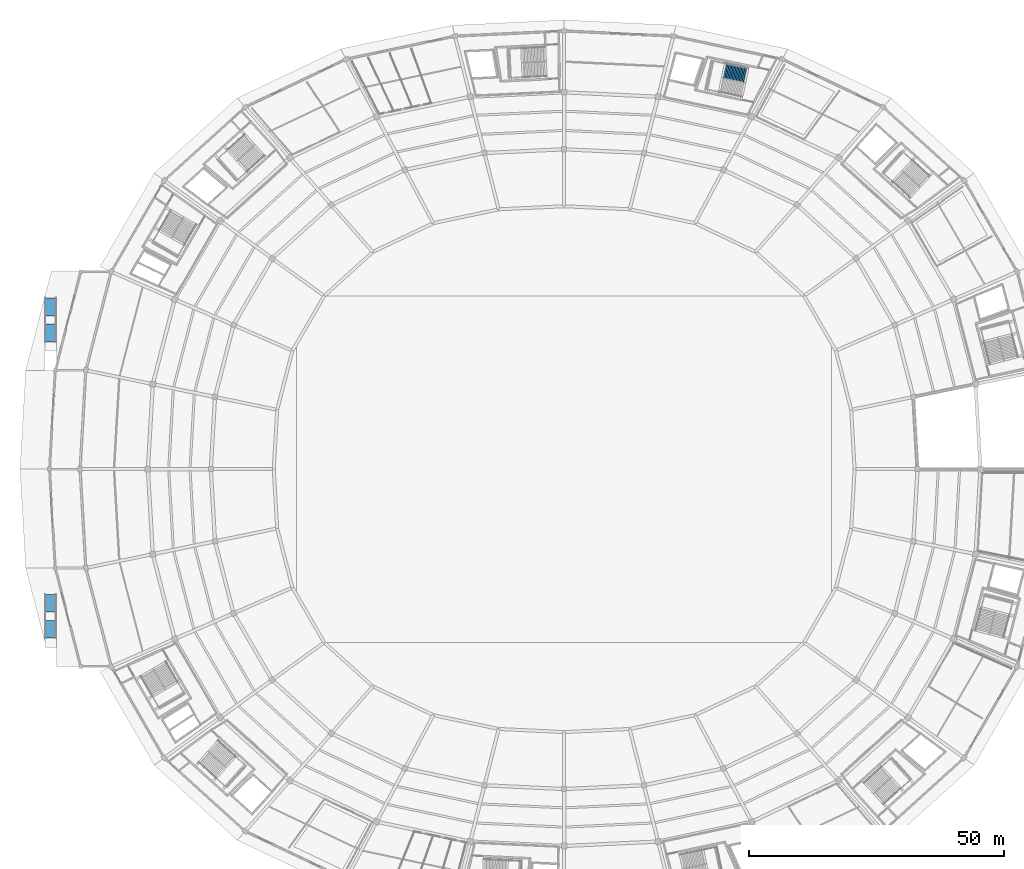
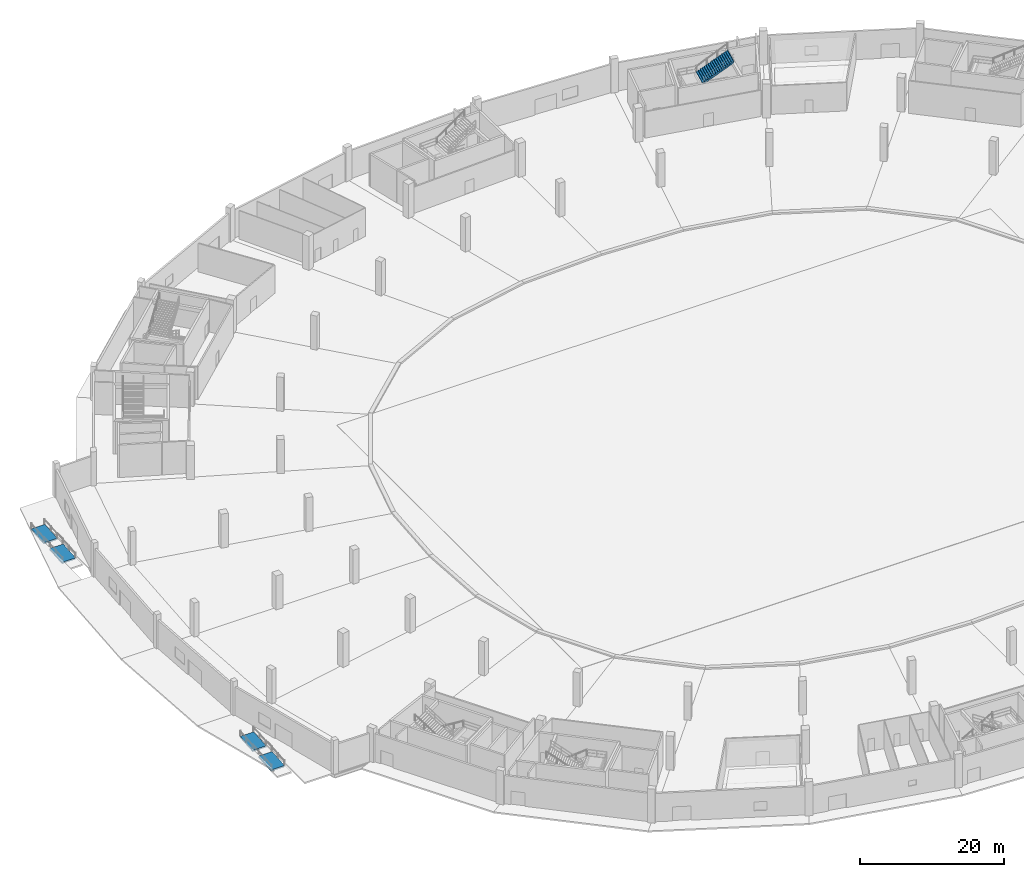
# One storey, part 42 of 48: 4 ramp flights, 1 stair flight, 3 elements without a shape of their own.
"""IFC4 building model written with IfcOpenShell, lengths in metres."""

from ifc_helpers import new_model, si_unit, direction, frame, origin, place, context, subcontext, project, spatial, polygons, material, layer, layer_set, type_object, element, aggregate, save


model = new_model("IFC4")

# Units and contexts
model_context = context("Model", 3, precision=1e-05, world=origin(), true_north=direction((0.0, 1.0)))
body_context = subcontext(model_context, "Body", "Model", "MODEL_VIEW")
ifc_project = project(units=[si_unit("LENGTHUNIT", "METRE"), si_unit("AREAUNIT", "SQUARE_METRE"), si_unit("VOLUMEUNIT", "CUBIC_METRE"), si_unit("PLANEANGLEUNIT", "RADIAN"), si_unit("MASSUNIT", "GRAM", prefix="KILO")], contexts=[model_context])

# Site, building, storey
site_placement = place(None, origin())
site = spatial("IfcSite", under=ifc_project, at=site_placement, CompositionType="ELEMENT")
building_placement = place(site_placement, origin())
building = spatial("IfcBuilding", under=site, at=building_placement, Name="Kazemori Nagisa Stadium", CompositionType="ELEMENT")
storey_placement = place(building_placement, origin())
storey = spatial("IfcBuildingStorey", under=building, at=storey_placement, Name="L00", CompositionType="ELEMENT", Elevation=0.0)

# Stair, stair flight
ifc_material = material(Name="Concrete C36/45 (Fc36)", Category="concrete")
stair_type = type_object("IfcStairType", Name="Stair_CORE_34", PredefinedType="TWO_STRAIGHT_RUN_STAIR", material=ifc_material)
stair_placement = place(storey_placement, origin())
stair = element("IfcStair", 1, at=stair_placement, inside=storey, type_object=stair_type, Name="Exit stair ST11 L00", PredefinedType="TWO_STRAIGHT_RUN_STAIR")
stair_flight_type = type_object("IfcStairFlightType", Name="Flight_CORE_17", PredefinedType="STRAIGHT", material=ifc_material)
stair_flight_placement = place(storey_placement, frame((154.25341796875, 180.22314453125, 2.889892578125), z_axis=(0.0, 0.0, 1.0), x_axis=(0.978345950589, -0.206976329483, 0.0)))
stair_flight = element("IfcStairFlight", 2, at=stair_flight_placement, type_object=stair_flight_type, Name="Exit stair ST11 L00 flight 2", NumberOfRisers=17, NumberOfTreads=16, PredefinedType="STRAIGHT", RiserHeight=0.17, TreadLength=0.285, context=body_context, shape_type="Tessellation", body=[
    polygons([(0.0, -1.425048828125, 0.0), (0.0, -1.425048828125, 0.169921875), (0.284912109375, -1.425048828125, 0.169921875), (0.284912109375, -1.425048828125, 0.340087890625), (0.570068359375, -1.425048828125, 0.340087890625), (0.570068359375, -1.425048828125, 0.510009765625), (0.85498046875, -1.425048828125, 0.510009765625), (0.85498046875, -1.425048828125, 0.679931640625), (1.139892578125, -1.425048828125, 0.679931640625), (1.139892578125, -1.425048828125, 0.85009765625), (1.425048828125, -1.425048828125, 0.85009765625), (1.425048828125, -1.425048828125, 1.02001953125), (1.7099609375, -1.425048828125, 1.02001953125), (1.7099609375, -1.425048828125, 1.18994140625), (1.9951171875, -1.425048828125, 1.18994140625), (1.9951171875, -1.425048828125, 1.360107421875), (2.280029296875, -1.425048828125, 1.360107421875), (2.280029296875, -1.425048828125, 1.530029296875), (2.56494140625, -1.425048828125, 1.530029296875), (2.56494140625, -1.425048828125, 1.699951171875), (2.85009765625, -1.425048828125, 1.699951171875), (2.85009765625, -1.425048828125, 1.8701171875), (3.135009765625, -1.425048828125, 1.8701171875), (3.135009765625, -1.425048828125, 2.0400390625), (3.419921875, -1.425048828125, 2.0400390625), (3.419921875, -1.425048828125, 2.2099609375), (3.705078125, -1.425048828125, 2.2099609375), (3.705078125, -1.425048828125, 2.3798828125), (3.989990234375, -1.425048828125, 2.3798828125), (3.989990234375, -1.425048828125, 2.550048828125), (4.27490234375, -1.425048828125, 2.550048828125), (4.27490234375, -1.425048828125, 2.719970703125), (4.56005859375, -1.425048828125, 2.719970703125), (4.56005859375, -1.425048828125, 2.889892578125), (4.610107421875, -1.425048828125, 2.889892578125), (4.610107421875, -1.425048828125, 2.51708984375), (4.56005859375, -1.425048828125, 2.487060546875), (4.27490234375, -1.425048828125, 2.317138671875), (3.989990234375, -1.425048828125, 2.147216796875), (3.705078125, -1.425048828125, 1.977294921875), (3.419921875, -1.425048828125, 1.80712890625), (3.135009765625, -1.425048828125, 1.63720703125), (2.85009765625, -1.425048828125, 1.46728515625), (2.56494140625, -1.425048828125, 1.297119140625), (2.280029296875, -1.425048828125, 1.127197265625), (1.9951171875, -1.425048828125, 0.957275390625), (1.7099609375, -1.425048828125, 0.787109375), (1.425048828125, -1.425048828125, 0.6171875), (1.139892578125, -1.425048828125, 0.447265625), (0.85498046875, -1.425048828125, 0.277099609375), (0.570068359375, -1.425048828125, 0.107177734375), (0.284912109375, -1.425048828125, 0.0), (0.0, -0.08544921875, 0.0), (0.0, -0.08544921875, 0.169921875), (0.284912109375, -0.08544921875, 0.169921875), (0.284912109375, -0.08544921875, 0.340087890625), (0.570068359375, -0.08544921875, 0.340087890625), (0.570068359375, -0.08544921875, 0.510009765625), (0.85498046875, -0.08544921875, 0.510009765625), (0.85498046875, -0.08544921875, 0.679931640625), (1.139892578125, -0.08544921875, 0.679931640625), (1.139892578125, -0.08544921875, 0.85009765625), (1.425048828125, -0.08544921875, 0.85009765625), (1.425048828125, -0.08544921875, 1.02001953125), (1.7099609375, -0.08544921875, 1.02001953125), (1.7099609375, -0.08544921875, 1.18994140625), (1.9951171875, -0.08544921875, 1.18994140625), (1.9951171875, -0.08544921875, 1.360107421875), (2.280029296875, -0.08544921875, 1.360107421875), (2.280029296875, -0.08544921875, 1.530029296875), (2.56494140625, -0.08544921875, 1.530029296875), (2.56494140625, -0.08544921875, 1.699951171875), (2.85009765625, -0.08544921875, 1.699951171875), (2.85009765625, -0.08544921875, 1.8701171875), (3.135009765625, -0.08544921875, 1.8701171875), (3.135009765625, -0.08544921875, 2.0400390625), (3.419921875, -0.08544921875, 2.0400390625), (3.419921875, -0.08544921875, 2.2099609375), (3.705078125, -0.08544921875, 2.2099609375), (3.705078125, -0.08544921875, 2.3798828125), (3.989990234375, -0.08544921875, 2.3798828125), (3.989990234375, -0.08544921875, 2.550048828125), (4.27490234375, -0.08544921875, 2.550048828125), (4.27490234375, -0.08544921875, 2.719970703125), (4.56005859375, -0.08544921875, 2.719970703125), (4.56005859375, -0.08544921875, 2.889892578125), (4.610107421875, -0.08544921875, 2.889892578125), (4.610107421875, -0.08544921875, 2.51708984375), (4.56005859375, -0.08544921875, 2.487060546875), (4.27490234375, -0.08544921875, 2.317138671875), (3.989990234375, -0.08544921875, 2.147216796875), (3.705078125, -0.08544921875, 1.977294921875), (3.419921875, -0.08544921875, 1.80712890625), (3.135009765625, -0.08544921875, 1.63720703125), (2.85009765625, -0.08544921875, 1.46728515625), (2.56494140625, -0.08544921875, 1.297119140625), (2.280029296875, -0.08544921875, 1.127197265625), (1.9951171875, -0.08544921875, 0.957275390625), (1.7099609375, -0.08544921875, 0.787109375), (1.425048828125, -0.08544921875, 0.6171875), (1.139892578125, -0.08544921875, 0.447265625), (0.85498046875, -0.08544921875, 0.277099609375), (0.570068359375, -0.08544921875, 0.107177734375), (0.284912109375, -0.08544921875, 0.0), (0.0, 0.0, 0.0), (0.0, 0.0, 0.169921875), (0.284912109375, 0.0, 0.169921875), (0.284912109375, 0.0, 0.340087890625), (0.570068359375, 0.0, 0.340087890625), (0.570068359375, 0.0, 0.510009765625), (0.85498046875, 0.0, 0.510009765625), (0.85498046875, 0.0, 0.679931640625), (1.139892578125, 0.0, 0.679931640625), (1.139892578125, 0.0, 0.85009765625), (1.425048828125, 0.0, 0.85009765625), (1.425048828125, 0.0, 1.02001953125), (1.7099609375, 0.0, 1.02001953125), (1.7099609375, 0.0, 1.18994140625), (1.9951171875, 0.0, 1.18994140625), (1.9951171875, 0.0, 1.360107421875), (2.280029296875, 0.0, 1.360107421875), (2.280029296875, 0.0, 1.530029296875), (2.56494140625, 0.0, 1.530029296875), (2.56494140625, 0.0, 1.699951171875), (2.85009765625, 0.0, 1.699951171875), (2.85009765625, 0.0, 1.8701171875), (3.135009765625, 0.0, 1.8701171875), (3.135009765625, 0.0, 2.0400390625), (3.419921875, 0.0, 2.0400390625), (3.419921875, 0.0, 2.2099609375), (3.705078125, 0.0, 2.2099609375), (3.705078125, 0.0, 2.3798828125), (3.989990234375, 0.0, 2.3798828125), (3.989990234375, 0.0, 2.550048828125), (4.27490234375, 0.0, 2.550048828125), (4.27490234375, 0.0, 2.719970703125), (4.56005859375, 0.0, 2.719970703125), (4.56005859375, 0.0, 2.889892578125), (4.610107421875, 0.0, 2.889892578125), (4.610107421875, 0.0, 2.51708984375), (4.56005859375, 0.0, 2.487060546875), (4.27490234375, 0.0, 2.317138671875), (3.989990234375, 0.0, 2.147216796875), (3.705078125, 0.0, 1.977294921875), (3.419921875, 0.0, 1.80712890625), (3.135009765625, 0.0, 1.63720703125), (2.85009765625, 0.0, 1.46728515625), (2.56494140625, 0.0, 1.297119140625), (2.280029296875, 0.0, 1.127197265625), (1.9951171875, 0.0, 0.957275390625), (1.7099609375, 0.0, 0.787109375), (1.425048828125, 0.0, 0.6171875), (1.139892578125, 0.0, 0.447265625), (0.85498046875, 0.0, 0.277099609375), (0.570068359375, 0.0, 0.107177734375), (0.284912109375, 0.0, 0.0), (0.0, 0.08544921875, 0.0), (0.0, 0.08544921875, 0.169921875), (0.284912109375, 0.08544921875, 0.169921875), (0.284912109375, 0.08544921875, 0.340087890625), (0.570068359375, 0.08544921875, 0.340087890625), (0.570068359375, 0.08544921875, 0.510009765625), (0.85498046875, 0.08544921875, 0.510009765625), (0.85498046875, 0.08544921875, 0.679931640625), (1.139892578125, 0.08544921875, 0.679931640625), (1.139892578125, 0.08544921875, 0.85009765625), (1.425048828125, 0.08544921875, 0.85009765625), (1.425048828125, 0.08544921875, 1.02001953125), (1.7099609375, 0.08544921875, 1.02001953125), (1.7099609375, 0.08544921875, 1.18994140625), (1.9951171875, 0.08544921875, 1.18994140625), (1.9951171875, 0.08544921875, 1.360107421875), (2.280029296875, 0.08544921875, 1.360107421875), (2.280029296875, 0.08544921875, 1.530029296875), (2.56494140625, 0.08544921875, 1.530029296875), (2.56494140625, 0.08544921875, 1.699951171875), (2.85009765625, 0.08544921875, 1.699951171875), (2.85009765625, 0.08544921875, 1.8701171875), (3.135009765625, 0.08544921875, 1.8701171875), (3.135009765625, 0.08544921875, 2.0400390625), (3.419921875, 0.08544921875, 2.0400390625), (3.419921875, 0.08544921875, 2.2099609375), (3.705078125, 0.08544921875, 2.2099609375), (3.705078125, 0.08544921875, 2.3798828125), (3.989990234375, 0.08544921875, 2.3798828125), (3.989990234375, 0.08544921875, 2.550048828125), (4.27490234375, 0.08544921875, 2.550048828125), (4.27490234375, 0.08544921875, 2.719970703125), (4.56005859375, 0.08544921875, 2.719970703125), (4.56005859375, 0.08544921875, 2.889892578125), (4.610107421875, 0.08544921875, 2.889892578125), (4.610107421875, 0.08544921875, 2.51708984375), (4.56005859375, 0.08544921875, 2.487060546875), (4.27490234375, 0.08544921875, 2.317138671875), (3.989990234375, 0.08544921875, 2.147216796875), (3.705078125, 0.08544921875, 1.977294921875), (3.419921875, 0.08544921875, 1.80712890625), (3.135009765625, 0.08544921875, 1.63720703125), (2.85009765625, 0.08544921875, 1.46728515625), (2.56494140625, 0.08544921875, 1.297119140625), (2.280029296875, 0.08544921875, 1.127197265625), (1.9951171875, 0.08544921875, 0.957275390625), (1.7099609375, 0.08544921875, 0.787109375), (1.425048828125, 0.08544921875, 0.6171875), (1.139892578125, 0.08544921875, 0.447265625), (0.85498046875, 0.08544921875, 0.277099609375), (0.570068359375, 0.08544921875, 0.107177734375), (0.284912109375, 0.08544921875, 0.0), (0.0, 1.425048828125, 0.0), (0.0, 1.425048828125, 0.169921875), (0.284912109375, 1.425048828125, 0.169921875), (0.284912109375, 1.425048828125, 0.340087890625), (0.570068359375, 1.425048828125, 0.340087890625), (0.570068359375, 1.425048828125, 0.510009765625), (0.85498046875, 1.425048828125, 0.510009765625), (0.85498046875, 1.425048828125, 0.679931640625), (1.139892578125, 1.425048828125, 0.679931640625), (1.139892578125, 1.425048828125, 0.85009765625), (1.425048828125, 1.425048828125, 0.85009765625), (1.425048828125, 1.425048828125, 1.02001953125), (1.7099609375, 1.425048828125, 1.02001953125), (1.7099609375, 1.425048828125, 1.18994140625), (1.9951171875, 1.425048828125, 1.18994140625), (1.9951171875, 1.425048828125, 1.360107421875), (2.280029296875, 1.425048828125, 1.360107421875), (2.280029296875, 1.425048828125, 1.530029296875), (2.56494140625, 1.425048828125, 1.530029296875), (2.56494140625, 1.425048828125, 1.699951171875), (2.85009765625, 1.425048828125, 1.699951171875), (2.85009765625, 1.425048828125, 1.8701171875), (3.135009765625, 1.425048828125, 1.8701171875), (3.135009765625, 1.425048828125, 2.0400390625), (3.419921875, 1.425048828125, 2.0400390625), (3.419921875, 1.425048828125, 2.2099609375), (3.705078125, 1.425048828125, 2.2099609375), (3.705078125, 1.425048828125, 2.3798828125), (3.989990234375, 1.425048828125, 2.3798828125), (3.989990234375, 1.425048828125, 2.550048828125), (4.27490234375, 1.425048828125, 2.550048828125), (4.27490234375, 1.425048828125, 2.719970703125), (4.56005859375, 1.425048828125, 2.719970703125), (4.56005859375, 1.425048828125, 2.889892578125), (4.610107421875, 1.425048828125, 2.889892578125), (4.610107421875, 1.425048828125, 2.51708984375), (4.56005859375, 1.425048828125, 2.487060546875), (4.27490234375, 1.425048828125, 2.317138671875), (3.989990234375, 1.425048828125, 2.147216796875), (3.705078125, 1.425048828125, 1.977294921875), (3.419921875, 1.425048828125, 1.80712890625), (3.135009765625, 1.425048828125, 1.63720703125), (2.85009765625, 1.425048828125, 1.46728515625), (2.56494140625, 1.425048828125, 1.297119140625), (2.280029296875, 1.425048828125, 1.127197265625), (1.9951171875, 1.425048828125, 0.957275390625), (1.7099609375, 1.425048828125, 0.787109375), (1.425048828125, 1.425048828125, 0.6171875), (1.139892578125, 1.425048828125, 0.447265625), (0.85498046875, 1.425048828125, 0.277099609375), (0.570068359375, 1.425048828125, 0.107177734375), (0.284912109375, 1.425048828125, 0.0)], [[[1, 2, 54]], [[1, 54, 53]], [[2, 3, 55]], [[2, 55, 54]], [[3, 4, 56]], [[3, 56, 55]], [[4, 5, 57]], [[4, 57, 56]], [[5, 6, 58]], [[5, 58, 57]], [[6, 7, 59]], [[6, 59, 58]], [[7, 8, 60]], [[7, 60, 59]], [[8, 9, 61]], [[8, 61, 60]], [[9, 10, 62]], [[9, 62, 61]], [[10, 11, 63]], [[10, 63, 62]], [[11, 12, 64]], [[11, 64, 63]], [[12, 13, 65]], [[12, 65, 64]], [[13, 14, 66]], [[13, 66, 65]], [[14, 15, 67]], [[14, 67, 66]], [[15, 16, 68]], [[15, 68, 67]], [[16, 17, 69]], [[16, 69, 68]], [[17, 18, 70]], [[17, 70, 69]], [[18, 19, 71]], [[18, 71, 70]], [[19, 20, 72]], [[19, 72, 71]], [[20, 21, 73]], [[20, 73, 72]], [[21, 22, 74]], [[21, 74, 73]], [[22, 23, 75]], [[22, 75, 74]], [[23, 24, 76]], [[23, 76, 75]], [[24, 25, 77]], [[24, 77, 76]], [[25, 26, 78]], [[25, 78, 77]], [[26, 27, 79]], [[26, 79, 78]], [[27, 28, 80]], [[27, 80, 79]], [[28, 29, 81]], [[28, 81, 80]], [[29, 30, 82]], [[29, 82, 81]], [[30, 31, 83]], [[30, 83, 82]], [[31, 32, 84]], [[31, 84, 83]], [[32, 33, 85]], [[32, 85, 84]], [[33, 34, 86]], [[33, 86, 85]], [[34, 35, 87]], [[34, 87, 86]], [[35, 36, 88]], [[35, 88, 87]], [[36, 37, 89]], [[36, 89, 88]], [[37, 38, 90]], [[37, 90, 89]], [[38, 39, 91]], [[38, 91, 90]], [[39, 40, 92]], [[39, 92, 91]], [[40, 41, 93]], [[40, 93, 92]], [[41, 42, 94]], [[41, 94, 93]], [[42, 43, 95]], [[42, 95, 94]], [[43, 44, 96]], [[43, 96, 95]], [[44, 45, 97]], [[44, 97, 96]], [[45, 46, 98]], [[45, 98, 97]], [[46, 47, 99]], [[46, 99, 98]], [[47, 48, 100]], [[47, 100, 99]], [[48, 49, 101]], [[48, 101, 100]], [[49, 50, 102]], [[49, 102, 101]], [[50, 51, 103]], [[50, 103, 102]], [[51, 52, 104]], [[51, 104, 103]], [[52, 1, 53]], [[52, 53, 104]], [[53, 54, 106]], [[53, 106, 105]], [[54, 55, 107]], [[54, 107, 106]], [[55, 56, 108]], [[55, 108, 107]], [[56, 57, 109]], [[56, 109, 108]], [[57, 58, 110]], [[57, 110, 109]], [[58, 59, 111]], [[58, 111, 110]], [[59, 60, 112]], [[59, 112, 111]], [[60, 61, 113]], [[60, 113, 112]], [[61, 62, 114]], [[61, 114, 113]], [[62, 63, 115]], [[62, 115, 114]], [[63, 64, 116]], [[63, 116, 115]], [[64, 65, 117]], [[64, 117, 116]], [[65, 66, 118]], [[65, 118, 117]], [[66, 67, 119]], [[66, 119, 118]], [[67, 68, 120]], [[67, 120, 119]], [[68, 69, 121]], [[68, 121, 120]], [[69, 70, 122]], [[69, 122, 121]], [[70, 71, 123]], [[70, 123, 122]], [[71, 72, 124]], [[71, 124, 123]], [[72, 73, 125]], [[72, 125, 124]], [[73, 74, 126]], [[73, 126, 125]], [[74, 75, 127]], [[74, 127, 126]], [[75, 76, 128]], [[75, 128, 127]], [[76, 77, 129]], [[76, 129, 128]], [[77, 78, 130]], [[77, 130, 129]], [[78, 79, 131]], [[78, 131, 130]], [[79, 80, 132]], [[79, 132, 131]], [[80, 81, 133]], [[80, 133, 132]], [[81, 82, 134]], [[81, 134, 133]], [[82, 83, 135]], [[82, 135, 134]], [[83, 84, 136]], [[83, 136, 135]], [[84, 85, 137]], [[84, 137, 136]], [[85, 86, 138]], [[85, 138, 137]], [[86, 87, 139]], [[86, 139, 138]], [[87, 88, 140]], [[87, 140, 139]], [[88, 89, 141]], [[88, 141, 140]], [[89, 90, 142]], [[89, 142, 141]], [[90, 91, 143]], [[90, 143, 142]], [[91, 92, 144]], [[91, 144, 143]], [[92, 93, 145]], [[92, 145, 144]], [[93, 94, 146]], [[93, 146, 145]], [[94, 95, 147]], [[94, 147, 146]], [[95, 96, 148]], [[95, 148, 147]], [[96, 97, 149]], [[96, 149, 148]], [[97, 98, 150]], [[97, 150, 149]], [[98, 99, 151]], [[98, 151, 150]], [[99, 100, 152]], [[99, 152, 151]], [[100, 101, 153]], [[100, 153, 152]], [[101, 102, 154]], [[101, 154, 153]], [[102, 103, 155]], [[102, 155, 154]], [[103, 104, 156]], [[103, 156, 155]], [[104, 53, 105]], [[104, 105, 156]], [[105, 106, 158]], [[105, 158, 157]], [[106, 107, 159]], [[106, 159, 158]], [[107, 108, 160]], [[107, 160, 159]], [[108, 109, 161]], [[108, 161, 160]], [[109, 110, 162]], [[109, 162, 161]], [[110, 111, 163]], [[110, 163, 162]], [[111, 112, 164]], [[111, 164, 163]], [[112, 113, 165]], [[112, 165, 164]], [[113, 114, 166]], [[113, 166, 165]], [[114, 115, 167]], [[114, 167, 166]], [[115, 116, 168]], [[115, 168, 167]], [[116, 117, 169]], [[116, 169, 168]], [[117, 118, 170]], [[117, 170, 169]], [[118, 119, 171]], [[118, 171, 170]], [[119, 120, 172]], [[119, 172, 171]], [[120, 121, 173]], [[120, 173, 172]], [[121, 122, 174]], [[121, 174, 173]], [[122, 123, 175]], [[122, 175, 174]], [[123, 124, 176]], [[123, 176, 175]], [[124, 125, 177]], [[124, 177, 176]], [[125, 126, 178]], [[125, 178, 177]], [[126, 127, 179]], [[126, 179, 178]], [[127, 128, 180]], [[127, 180, 179]], [[128, 129, 181]], [[128, 181, 180]], [[129, 130, 182]], [[129, 182, 181]], [[130, 131, 183]], [[130, 183, 182]], [[131, 132, 184]], [[131, 184, 183]], [[132, 133, 185]], [[132, 185, 184]], [[133, 134, 186]], [[133, 186, 185]], [[134, 135, 187]], [[134, 187, 186]], [[135, 136, 188]], [[135, 188, 187]], [[136, 137, 189]], [[136, 189, 188]], [[137, 138, 190]], [[137, 190, 189]], [[138, 139, 191]], [[138, 191, 190]], [[139, 140, 192]], [[139, 192, 191]], [[140, 141, 193]], [[140, 193, 192]], [[141, 142, 194]], [[141, 194, 193]], [[142, 143, 195]], [[142, 195, 194]], [[143, 144, 196]], [[143, 196, 195]], [[144, 145, 197]], [[144, 197, 196]], [[145, 146, 198]], [[145, 198, 197]], [[146, 147, 199]], [[146, 199, 198]], [[147, 148, 200]], [[147, 200, 199]], [[148, 149, 201]], [[148, 201, 200]], [[149, 150, 202]], [[149, 202, 201]], [[150, 151, 203]], [[150, 203, 202]], [[151, 152, 204]], [[151, 204, 203]], [[152, 153, 205]], [[152, 205, 204]], [[153, 154, 206]], [[153, 206, 205]], [[154, 155, 207]], [[154, 207, 206]], [[155, 156, 208]], [[155, 208, 207]], [[156, 105, 157]], [[156, 157, 208]], [[157, 158, 210]], [[157, 210, 209]], [[158, 159, 211]], [[158, 211, 210]], [[159, 160, 212]], [[159, 212, 211]], [[160, 161, 213]], [[160, 213, 212]], [[161, 162, 214]], [[161, 214, 213]], [[162, 163, 215]], [[162, 215, 214]], [[163, 164, 216]], [[163, 216, 215]], [[164, 165, 217]], [[164, 217, 216]], [[165, 166, 218]], [[165, 218, 217]], [[166, 167, 219]], [[166, 219, 218]], [[167, 168, 220]], [[167, 220, 219]], [[168, 169, 221]], [[168, 221, 220]], [[169, 170, 222]], [[169, 222, 221]], [[170, 171, 223]], [[170, 223, 222]], [[171, 172, 224]], [[171, 224, 223]], [[172, 173, 225]], [[172, 225, 224]], [[173, 174, 226]], [[173, 226, 225]], [[174, 175, 227]], [[174, 227, 226]], [[175, 176, 228]], [[175, 228, 227]], [[176, 177, 229]], [[176, 229, 228]], [[177, 178, 230]], [[177, 230, 229]], [[178, 179, 231]], [[178, 231, 230]], [[179, 180, 232]], [[179, 232, 231]], [[180, 181, 233]], [[180, 233, 232]], [[181, 182, 234]], [[181, 234, 233]], [[182, 183, 235]], [[182, 235, 234]], [[183, 184, 236]], [[183, 236, 235]], [[184, 185, 237]], [[184, 237, 236]], [[185, 186, 238]], [[185, 238, 237]], [[186, 187, 239]], [[186, 239, 238]], [[187, 188, 240]], [[187, 240, 239]], [[188, 189, 241]], [[188, 241, 240]], [[189, 190, 242]], [[189, 242, 241]], [[190, 191, 243]], [[190, 243, 242]], [[191, 192, 244]], [[191, 244, 243]], [[192, 193, 245]], [[192, 245, 244]], [[193, 194, 246]], [[193, 246, 245]], [[194, 195, 247]], [[194, 247, 246]], [[195, 196, 248]], [[195, 248, 247]], [[196, 197, 249]], [[196, 249, 248]], [[197, 198, 250]], [[197, 250, 249]], [[198, 199, 251]], [[198, 251, 250]], [[199, 200, 252]], [[199, 252, 251]], [[200, 201, 253]], [[200, 253, 252]], [[201, 202, 254]], [[201, 254, 253]], [[202, 203, 255]], [[202, 255, 254]], [[203, 204, 256]], [[203, 256, 255]], [[204, 205, 257]], [[204, 257, 256]], [[205, 206, 258]], [[205, 258, 257]], [[206, 207, 259]], [[206, 259, 258]], [[207, 208, 260]], [[207, 260, 259]], [[208, 157, 209]], [[208, 209, 260]], [[3, 2, 1]], [[209, 210, 211]], [[52, 3, 1]], [[209, 211, 260]], [[51, 3, 52]], [[260, 211, 259]], [[5, 3, 51]], [[259, 211, 213]], [[5, 4, 3]], [[211, 212, 213]], [[50, 5, 51]], [[259, 213, 258]], [[7, 5, 50]], [[258, 213, 215]], [[7, 6, 5]], [[213, 214, 215]], [[49, 7, 50]], [[258, 215, 257]], [[9, 7, 49]], [[257, 215, 217]], [[9, 8, 7]], [[215, 216, 217]], [[48, 9, 49]], [[257, 217, 256]], [[11, 9, 48]], [[256, 217, 219]], [[11, 10, 9]], [[217, 218, 219]], [[47, 11, 48]], [[256, 219, 255]], [[13, 11, 47]], [[255, 219, 221]], [[13, 12, 11]], [[219, 220, 221]], [[46, 13, 47]], [[255, 221, 254]], [[15, 13, 46]], [[254, 221, 223]], [[15, 14, 13]], [[221, 222, 223]], [[45, 15, 46]], [[254, 223, 253]], [[17, 15, 45]], [[253, 223, 225]], [[17, 16, 15]], [[223, 224, 225]], [[44, 17, 45]], [[253, 225, 252]], [[19, 17, 44]], [[252, 225, 227]], [[19, 18, 17]], [[225, 226, 227]], [[43, 19, 44]], [[252, 227, 251]], [[21, 19, 43]], [[251, 227, 229]], [[21, 20, 19]], [[227, 228, 229]], [[42, 21, 43]], [[251, 229, 250]], [[23, 21, 42]], [[250, 229, 231]], [[23, 22, 21]], [[229, 230, 231]], [[41, 23, 42]], [[250, 231, 249]], [[25, 23, 41]], [[249, 231, 233]], [[25, 24, 23]], [[231, 232, 233]], [[40, 25, 41]], [[249, 233, 248]], [[27, 25, 40]], [[248, 233, 235]], [[27, 26, 25]], [[233, 234, 235]], [[39, 27, 40]], [[248, 235, 247]], [[29, 27, 39]], [[247, 235, 237]], [[29, 28, 27]], [[235, 236, 237]], [[38, 29, 39]], [[247, 237, 246]], [[31, 29, 38]], [[246, 237, 239]], [[31, 30, 29]], [[237, 238, 239]], [[37, 31, 38]], [[246, 239, 245]], [[33, 31, 37]], [[245, 239, 241]], [[33, 32, 31]], [[239, 240, 241]], [[36, 33, 37]], [[245, 241, 244]], [[35, 33, 36]], [[244, 241, 243]], [[35, 34, 33]], [[241, 242, 243]]], closed=True),
])
aggregate(stair, [stair_flight])

# Ramp, ramp flights
ramp_type = type_object("IfcRampType", Name="Ramp_PED", PredefinedType="STRAIGHT_RUN_RAMP", material=ifc_material)
ramp_1_placement = place(storey_placement, origin())
ramp_1 = element("IfcRamp", 3, at=ramp_1_placement, inside=storey, type_object=ramp_type, Name="Boulevard accessible pedestrian ramp RP1", PredefinedType="STRAIGHT_RUN_RAMP")
ifc_layer = layer(ifc_material, 0.25, Name="Concrete C36/45 (Fc36)", Category="concrete")
ifc_layer_set = layer_set([ifc_layer], Name="Concrete C36/45 (Fc36)")
ramp_flight_type = type_object("IfcRampFlightType", Name="RampFlight_PED", PredefinedType="STRAIGHT", material=ifc_layer_set)
ramp_flight_1_placement = place(storey_placement, frame((22.217041015625, 126.9736328125, -0.5), z_axis=(0.0, 0.0, 1.0), x_axis=(0.0, 1.0, 0.0)))
ramp_flight_1 = element("IfcRampFlight", 4, at=ramp_flight_1_placement, type_object=ramp_flight_type, Name="Boulevard accessible ramp RP1 lower flight", PredefinedType="STRAIGHT", context=body_context, shape_type="Tessellation", body=[
    polygons([(0.0, -1.10009765625, -0.25), (0.0, -1.10009765625, 0.0), (3.5, -1.10009765625, 0.25), (3.5, -1.10009765625, 0.0), (0.0, -0.087890625, -0.25), (0.0, -0.087890625, 0.0), (3.5, -0.087890625, 0.25), (3.5, -0.087890625, 0.0), (0.0, 0.0, -0.25), (0.0, 0.0, 0.0), (3.5, 0.0, 0.25), (3.5, 0.0, 0.0), (0.0, 0.087890625, -0.25), (0.0, 0.087890625, 0.0), (3.5, 0.087890625, 0.25), (3.5, 0.087890625, 0.0), (0.0, 1.10009765625, -0.25), (0.0, 1.10009765625, 0.0), (3.5, 1.10009765625, 0.25), (3.5, 1.10009765625, 0.0)], [[[1, 2, 6]], [[1, 6, 5]], [[2, 3, 7]], [[2, 7, 6]], [[3, 4, 8]], [[3, 8, 7]], [[4, 1, 5]], [[4, 5, 8]], [[5, 6, 10]], [[5, 10, 9]], [[6, 7, 11]], [[6, 11, 10]], [[7, 8, 12]], [[7, 12, 11]], [[8, 5, 9]], [[8, 9, 12]], [[9, 10, 14]], [[9, 14, 13]], [[10, 11, 15]], [[10, 15, 14]], [[11, 12, 16]], [[11, 16, 15]], [[12, 9, 13]], [[12, 13, 16]], [[13, 14, 18]], [[13, 18, 17]], [[14, 15, 19]], [[14, 19, 18]], [[15, 16, 20]], [[15, 20, 19]], [[16, 13, 17]], [[16, 17, 20]], [[3, 2, 1]], [[17, 18, 19]], [[4, 3, 1]], [[17, 19, 20]]], closed=True),
])
ramp_flight_2_placement = place(storey_placement, frame((22.217041015625, 132.07373046875, -0.25), z_axis=(0.0, 0.0, 1.0), x_axis=(0.0, 1.0, 0.0)))
ramp_flight_2 = element("IfcRampFlight", 5, at=ramp_flight_2_placement, type_object=ramp_flight_type, Name="Boulevard accessible ramp RP1 upper flight", PredefinedType="STRAIGHT", context=body_context, shape_type="Tessellation", body=[
    polygons([(0.0, -1.10009765625, -0.25), (0.0, -1.10009765625, 0.0), (3.5, -1.10009765625, 0.25), (3.5, -1.10009765625, 0.0), (0.0, -0.087890625, -0.25), (0.0, -0.087890625, 0.0), (3.5, -0.087890625, 0.25), (3.5, -0.087890625, 0.0), (0.0, 0.0, -0.25), (0.0, 0.0, 0.0), (3.5, 0.0, 0.25), (3.5, 0.0, 0.0), (0.0, 0.087890625, -0.25), (0.0, 0.087890625, 0.0), (3.5, 0.087890625, 0.25), (3.5, 0.087890625, 0.0), (0.0, 1.10009765625, -0.25), (0.0, 1.10009765625, 0.0), (3.5, 1.10009765625, 0.25), (3.5, 1.10009765625, 0.0)], [[[1, 2, 6]], [[1, 6, 5]], [[2, 3, 7]], [[2, 7, 6]], [[3, 4, 8]], [[3, 8, 7]], [[4, 1, 5]], [[4, 5, 8]], [[5, 6, 10]], [[5, 10, 9]], [[6, 7, 11]], [[6, 11, 10]], [[7, 8, 12]], [[7, 12, 11]], [[8, 5, 9]], [[8, 9, 12]], [[9, 10, 14]], [[9, 14, 13]], [[10, 11, 15]], [[10, 15, 14]], [[11, 12, 16]], [[11, 16, 15]], [[12, 9, 13]], [[12, 13, 16]], [[13, 14, 18]], [[13, 18, 17]], [[14, 15, 19]], [[14, 19, 18]], [[15, 16, 20]], [[15, 20, 19]], [[16, 13, 17]], [[16, 17, 20]], [[3, 2, 1]], [[17, 18, 19]], [[4, 3, 1]], [[17, 19, 20]]], closed=True),
])
aggregate(ramp_1, [ramp_flight_1, ramp_flight_2])

ramp_2_placement = place(storey_placement, origin())
ramp_2 = element("IfcRamp", 6, at=ramp_2_placement, inside=storey, type_object=ramp_type, Name="Boulevard accessible pedestrian ramp RP2", PredefinedType="STRAIGHT_RUN_RAMP")
ramp_flight_3_placement = place(storey_placement, frame((22.217041015625, 68.826416015625, -0.5), z_axis=(0.0, 0.0, 1.0), x_axis=(0.0, 1.0, 0.0)))
ramp_flight_3 = element("IfcRampFlight", 7, at=ramp_flight_3_placement, type_object=ramp_flight_type, Name="Boulevard accessible ramp RP2 lower flight", PredefinedType="STRAIGHT", context=body_context, shape_type="Tessellation", body=[
    polygons([(0.0, -1.10009765625, -0.25), (0.0, -1.10009765625, 0.0), (3.5, -1.10009765625, 0.25), (3.5, -1.10009765625, 0.0), (0.0, -0.087890625, -0.25), (0.0, -0.087890625, 0.0), (3.5, -0.087890625, 0.25), (3.5, -0.087890625, 0.0), (0.0, 0.0, -0.25), (0.0, 0.0, 0.0), (3.5, 0.0, 0.25), (3.5, 0.0, 0.0), (0.0, 0.087890625, -0.25), (0.0, 0.087890625, 0.0), (3.5, 0.087890625, 0.25), (3.5, 0.087890625, 0.0), (0.0, 1.10009765625, -0.25), (0.0, 1.10009765625, 0.0), (3.5, 1.10009765625, 0.25), (3.5, 1.10009765625, 0.0)], [[[1, 2, 6]], [[1, 6, 5]], [[2, 3, 7]], [[2, 7, 6]], [[3, 4, 8]], [[3, 8, 7]], [[4, 1, 5]], [[4, 5, 8]], [[5, 6, 10]], [[5, 10, 9]], [[6, 7, 11]], [[6, 11, 10]], [[7, 8, 12]], [[7, 12, 11]], [[8, 5, 9]], [[8, 9, 12]], [[9, 10, 14]], [[9, 14, 13]], [[10, 11, 15]], [[10, 15, 14]], [[11, 12, 16]], [[11, 16, 15]], [[12, 9, 13]], [[12, 13, 16]], [[13, 14, 18]], [[13, 18, 17]], [[14, 15, 19]], [[14, 19, 18]], [[15, 16, 20]], [[15, 20, 19]], [[16, 13, 17]], [[16, 17, 20]], [[3, 2, 1]], [[17, 18, 19]], [[4, 3, 1]], [[17, 19, 20]]], closed=True),
])
ramp_flight_4_placement = place(storey_placement, frame((22.217041015625, 73.92626953125, -0.25), z_axis=(0.0, 0.0, 1.0), x_axis=(0.0, 1.0, 0.0)))
ramp_flight_4 = element("IfcRampFlight", 8, at=ramp_flight_4_placement, type_object=ramp_flight_type, Name="Boulevard accessible ramp RP2 upper flight", PredefinedType="STRAIGHT", context=body_context, shape_type="Tessellation", body=[
    polygons([(0.0, -1.10009765625, -0.25), (0.0, -1.10009765625, 0.0), (3.5, -1.10009765625, 0.25), (3.5, -1.10009765625, 0.0), (0.0, -0.087890625, -0.25), (0.0, -0.087890625, 0.0), (3.5, -0.087890625, 0.25), (3.5, -0.087890625, 0.0), (0.0, 0.0, -0.25), (0.0, 0.0, 0.0), (3.5, 0.0, 0.25), (3.5, 0.0, 0.0), (0.0, 0.087890625, -0.25), (0.0, 0.087890625, 0.0), (3.5, 0.087890625, 0.25), (3.5, 0.087890625, 0.0), (0.0, 1.10009765625, -0.25), (0.0, 1.10009765625, 0.0), (3.5, 1.10009765625, 0.25), (3.5, 1.10009765625, 0.0)], [[[1, 2, 6]], [[1, 6, 5]], [[2, 3, 7]], [[2, 7, 6]], [[3, 4, 8]], [[3, 8, 7]], [[4, 1, 5]], [[4, 5, 8]], [[5, 6, 10]], [[5, 10, 9]], [[6, 7, 11]], [[6, 11, 10]], [[7, 8, 12]], [[7, 12, 11]], [[8, 5, 9]], [[8, 9, 12]], [[9, 10, 14]], [[9, 14, 13]], [[10, 11, 15]], [[10, 15, 14]], [[11, 12, 16]], [[11, 16, 15]], [[12, 9, 13]], [[12, 13, 16]], [[13, 14, 18]], [[13, 18, 17]], [[14, 15, 19]], [[14, 19, 18]], [[15, 16, 20]], [[15, 20, 19]], [[16, 13, 17]], [[16, 17, 20]], [[3, 2, 1]], [[17, 18, 19]], [[4, 3, 1]], [[17, 19, 20]]], closed=True),
])
aggregate(ramp_2, [ramp_flight_3, ramp_flight_4])

save(model, "model.ifc")
